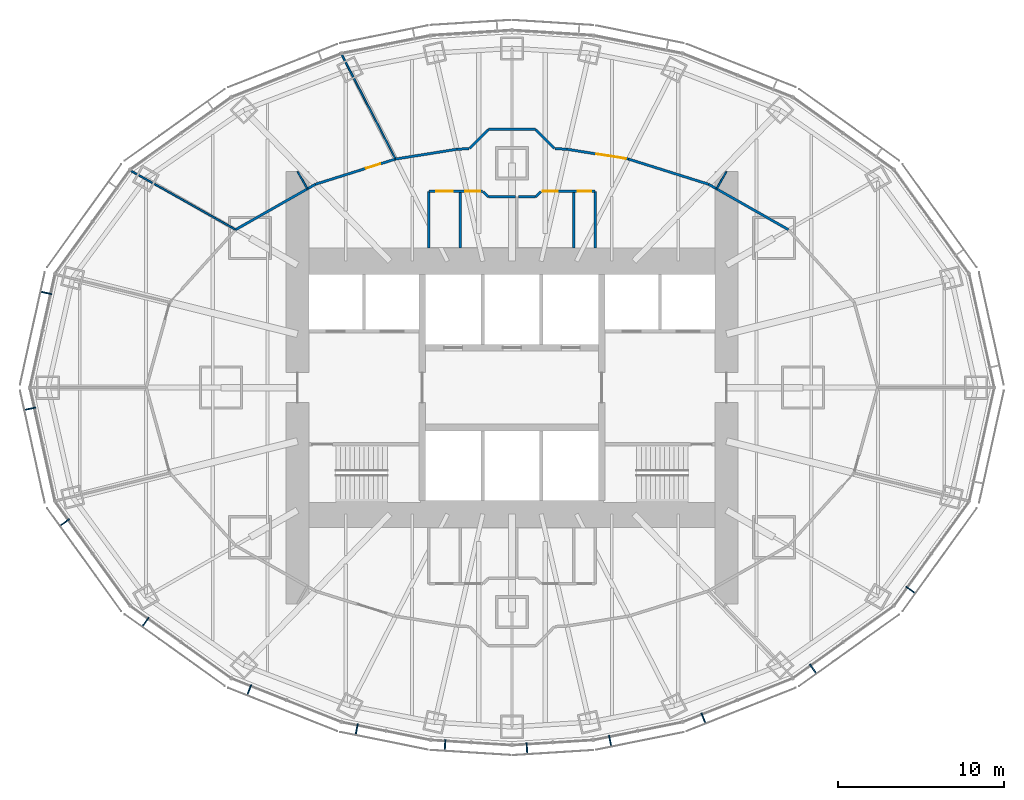
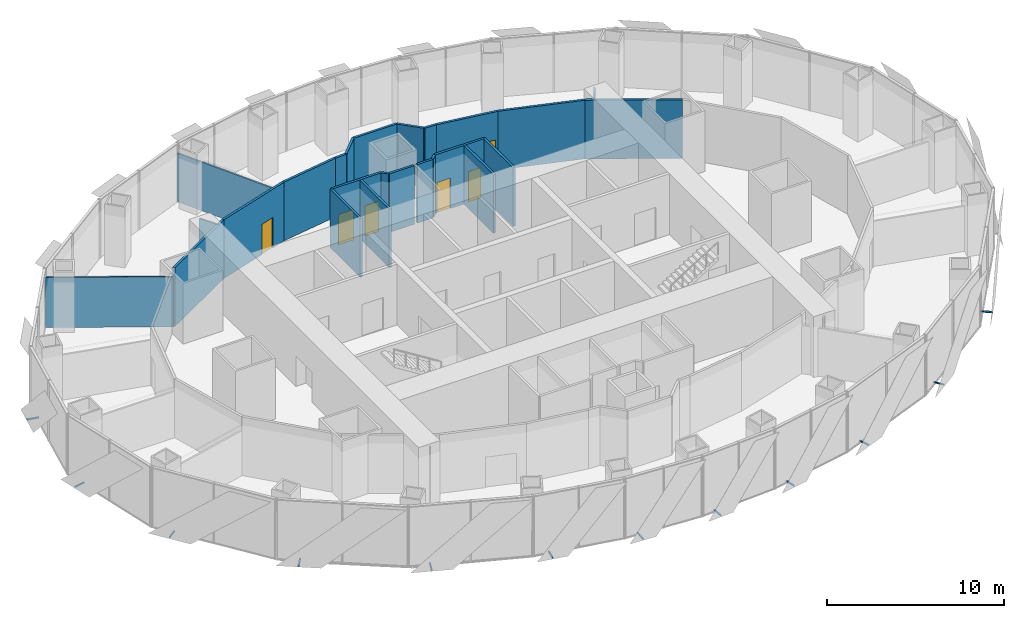
# One storey, part 13 of 17: 25 walls, 12 discrete accessories, 6 doors, 6 openings.
"""IFC4 building model written with IfcOpenShell, lengths in metres."""

from ifc_helpers import new_model, si_unit, direction, frame, frame_2d, origin, origin_2d, place, context, subcontext, project, spatial, rectangle, extrude, material, layer, layer_set, type_object, element, fill, save


model = new_model("IFC4")

# Units and contexts
model_context = context("Model", 3, precision=1e-05, world=origin(), true_north=direction((0.0, 1.0)))
body_context = subcontext(model_context, "Body", "Model", "MODEL_VIEW")
ifc_project = project(units=[si_unit("LENGTHUNIT", "METRE"), si_unit("AREAUNIT", "SQUARE_METRE"), si_unit("VOLUMEUNIT", "CUBIC_METRE"), si_unit("PLANEANGLEUNIT", "RADIAN"), si_unit("MASSUNIT", "GRAM", prefix="KILO")], contexts=[model_context])

# Site, building, storey
site_placement = place(None, origin())
site = spatial("IfcSite", under=ifc_project, at=site_placement, CompositionType="ELEMENT")
building_placement = place(site_placement, origin())
building = spatial("IfcBuilding", under=site, at=building_placement, Name="Lantaw Convention Tower", CompositionType="ELEMENT")
storey_placement = place(building_placement, frame((0.0, 0.0, 125.800048828125)))
storey = spatial("IfcBuildingStorey", under=building, at=storey_placement, Name="L29", CompositionType="ELEMENT", Elevation=125.800048828125)

# Walls
ifc_material_1 = material(Name="Gypsum board on steel studs, fire rated", Category="steel")
ifc_layer_1 = layer(ifc_material_1, 0.14990234375)
ifc_layer_set_1 = layer_set([ifc_layer_1], Name="Corridor wall 150 EI 60")
wall_type_1 = type_object("IfcWallType", Name="Corridor wall 150 EI 60", PredefinedType="PARTITIONING", material=ifc_layer_set_1)
wall_1_placement = place(storey_placement, frame((16.62255859375, 9.49853515625, 0.0), z_axis=(0.0, 0.0, 1.0), x_axis=(-0.869375991036, 0.494151177485, 0.0)))
element("IfcWall", 1, at=wall_1_placement, inside=storey, type_object=wall_type_1, Name="Corridor wall 150", PredefinedType="PARTITIONING", context=body_context, shape_type="SweptSolid", body=[
    extrude(rectangle(XDim=5.532470703125, YDim=0.14990234375, at=frame_2d((2.76611328125, 0.0))), origin(), (0.0, 0.0, 1.0), 4.050048828125),
])
wall_2_placement = place(storey_placement, frame((11.812744140625, 12.232421875, 0.0), z_axis=(0.0, 0.0, 1.0), x_axis=(-0.953893934057, 0.300143903101, 0.0)))
element("IfcWall", 2, at=wall_2_placement, inside=storey, type_object=wall_type_1, Name="Corridor wall 150", PredefinedType="PARTITIONING", context=body_context, shape_type="SweptSolid", body=[
    extrude(rectangle(XDim=5.04150390625, YDim=0.14990234375, at=frame_2d((2.520751953125, 0.0))), origin(), (0.0, 0.0, 1.0), 4.050048828125),
])

# Wall, opening, door
wall_3_placement = place(storey_placement, frame((7.003662109375, 13.74560546875, 0.0), z_axis=(0.0, 0.0, 1.0), x_axis=(-0.987511396594, 0.157547585181, 0.0)))
wall_3 = element("IfcWall", 3, at=wall_3_placement, inside=storey, type_object=wall_type_1, Name="Corridor wall 150", PredefinedType="PARTITIONING", context=body_context, shape_type="SweptSolid", body=[
    extrude(rectangle(XDim=3.74072265625, YDim=0.14990234375, at=frame_2d((1.870361328125, 0.0))), origin(), (0.0, 0.0, 1.0), 4.050048828125),
])
opening_1_placement = place(wall_3_placement, frame((0.14990234375, 0.0, 0.0)))
opening_1 = element("IfcOpeningElement", 4, at=opening_1_placement, cuts=wall_3, Name="Opening L29.22", PredefinedType="OPENING", context=body_context, shape_type="SweptSolid", body=[
    extrude(rectangle(XDim=1.800048828125, YDim=2.10009765625, at=frame_2d((0.89990234375, 1.050048828125))), frame((0.0, 0.0849609375, 0.0), z_axis=(0.0, -1.0, 0.0), x_axis=(1.0, 0.0, 0.0)), (0.0, 0.0, 1.0), 0.169921875),
])
ifc_material_2 = material(Name="Steel, fire rated", Category="steel")
door_type_1 = type_object("IfcDoorType", Name="Office double door 1800 FD30", OperationType="DOUBLE_DOOR_DOUBLE_SWING", PredefinedType="DOOR", material=ifc_material_2)
door_1_placement = place(opening_1_placement, origin())
door_1 = element("IfcDoor", 5, at=door_1_placement, inside=storey, type_object=door_type_1, Name="Contact-centre floor door", OperationType="DOUBLE_DOOR_DOUBLE_SWING", OverallHeight=2.10009765625, OverallWidth=1.800048828125, PredefinedType="DOOR", context=body_context, shape_type="SweptSolid", body=[
    extrude(rectangle(XDim=1.800048828125, YDim=2.10009765625, at=frame_2d((0.89990234375, 1.050048828125))), frame((0.0, 0.02490234375, 0.0), z_axis=(0.0, -1.0, 0.0), x_axis=(1.0, 0.0, 0.0)), (0.0, 0.0, 1.0), 0.050048828125),
])
fill(opening_1, door_1)

# Wall
wall_4_placement = place(storey_placement, frame((-3.3095703125, 14.3349609375, 0.0), z_axis=(0.0, 0.0, 1.0), x_axis=(-0.987511396594, -0.157547585181, 0.0)))
element("IfcWall", 6, at=wall_4_placement, inside=storey, type_object=wall_type_1, Name="Corridor wall 150", PredefinedType="PARTITIONING", context=body_context, shape_type="SweptSolid", body=[
    extrude(rectangle(XDim=3.74072265625, YDim=0.14990234375, at=frame_2d((1.870361328125, 0.0))), origin(), (0.0, 0.0, 1.0), 4.050048828125),
])

# Wall, opening, door
wall_5_placement = place(storey_placement, frame((-7.003662109375, 13.74560546875, 0.0), z_axis=(0.0, 0.0, 1.0), x_axis=(-0.953893934057, -0.300143903101, 0.0)))
wall_5 = element("IfcWall", 7, at=wall_5_placement, inside=storey, type_object=wall_type_1, Name="Corridor wall 150", PredefinedType="PARTITIONING", context=body_context, shape_type="SweptSolid", body=[
    extrude(rectangle(XDim=5.04150390625, YDim=0.14990234375, at=frame_2d((2.520751953125, 0.0))), origin(), (0.0, 0.0, 1.0), 4.050048828125),
])
opening_2_placement = place(wall_5_placement, frame((0.958740234375, 0.0, 0.0)))
opening_2 = element("IfcOpeningElement", 8, at=opening_2_placement, cuts=wall_5, Name="Opening L29.23", PredefinedType="OPENING", context=body_context, shape_type="SweptSolid", body=[
    extrude(rectangle(XDim=0.89990234375, YDim=2.10009765625, at=frame_2d((0.449951171875, 1.050048828125))), frame((0.0, 0.0849609375, 0.0), z_axis=(0.0, -1.0, 0.0), x_axis=(1.0, 0.0, 0.0)), (0.0, 0.0, 1.0), 0.169921875),
])
door_type_2 = type_object("IfcDoorType", Name="Office door 900 FD30", OperationType="SINGLE_SWING_LEFT", PredefinedType="DOOR", material=ifc_material_2)
door_2_placement = place(opening_2_placement, origin())
door_2 = element("IfcDoor", 9, at=door_2_placement, inside=storey, type_object=door_type_2, Name="Training room door", OperationType="SINGLE_SWING_LEFT", OverallHeight=2.10009765625, OverallWidth=0.89990234375, PredefinedType="DOOR", context=body_context, shape_type="SweptSolid", body=[
    extrude(rectangle(XDim=0.89990234375, YDim=2.10009765625, at=frame_2d((0.449951171875, 1.050048828125))), frame((0.0, 0.02490234375, 0.0), z_axis=(0.0, -1.0, 0.0), x_axis=(1.0, 0.0, 0.0)), (0.0, 0.0, 1.0), 0.050048828125),
])
fill(opening_2, door_2)

# Walls
wall_6_placement = place(storey_placement, frame((-11.812744140625, 12.232421875, 0.0), z_axis=(0.0, 0.0, 1.0), x_axis=(-0.869375991036, -0.494151177485, 0.0)))
element("IfcWall", 10, at=wall_6_placement, inside=storey, type_object=wall_type_1, Name="Corridor wall 150", PredefinedType="PARTITIONING", context=body_context, shape_type="SweptSolid", body=[
    extrude(rectangle(XDim=5.532470703125, YDim=0.14990234375, at=frame_2d((2.76611328125, 0.0))), origin(), (0.0, 0.0, 1.0), 4.050048828125),
])
for number, where, z_axis, x_axis, name in (
    (11, (3.3095703125, 14.3349609375, 0.0), (0.0, 0.0, 1.0), (-0.998758954215, 0.04980513402, 0.0), "Corridor wall 150"),
    (12, (-2.5751953125, 14.37158203125, 0.0), (0.0, 0.0, 1.0), (-0.998758954215, -0.04980513402, 0.0), "Corridor wall 150"),
):
    element("IfcWall", number, at=place(storey_placement, frame(where, z_axis=z_axis, x_axis=x_axis)), inside=storey, type_object=wall_type_1, Name=name, PredefinedType="PARTITIONING", context=body_context, shape_type="SweptSolid", body=[
        extrude(rectangle(XDim=0.7353515625, YDim=0.14990234375, at=frame_2d((0.36767578125, 0.0))), origin(), (0.0, 0.0, 1.0), 4.050048828125),
    ])
wall_7_placement = place(storey_placement, frame((-1.424560546875, 15.52490234375, 0.0), z_axis=(0.0, 0.0, 1.0), x_axis=(1.0, 0.0, 0.0)))
element("IfcWall", 13, at=wall_7_placement, inside=storey, type_object=wall_type_1, Name="Corridor wall 150", PredefinedType="PARTITIONING", context=body_context, shape_type="SweptSolid", body=[
    extrude(rectangle(XDim=2.84912109375, YDim=0.14990234375, at=frame_2d((1.424560546875, 0.0))), origin(), (0.0, 0.0, 1.0), 4.050048828125),
])
for number, where, z_axis, x_axis, name in (
    (14, (1.424560546875, 15.52490234375, 0.0), (0.0, 0.0, 1.0), (0.701815492047, -0.712358768545, 0.0), "Corridor wall 150"),
    (15, (-2.5458984375, 14.38671875, 0.0), (0.0, 0.0, 1.0), (0.701815492047, 0.712358768545, 0.0), "Corridor wall 150"),
):
    element("IfcWall", number, at=place(storey_placement, frame(where, z_axis=z_axis, x_axis=x_axis)), inside=storey, type_object=wall_type_1, Name=name, PredefinedType="PARTITIONING", context=body_context, shape_type="SweptSolid", body=[
        extrude(rectangle(XDim=1.59765625, YDim=0.14990234375, at=frame_2d((0.798828125, 0.0))), origin(), (0.0, 0.0, 1.0), 4.050048828125),
    ])
ifc_material_3 = material(Name="Gypsum board on steel studs, acoustic", Category="steel")
ifc_layer_2 = layer(ifc_material_3, 0.10009765625)
ifc_layer_set_2 = layer_set([ifc_layer_2], Name="Office partition 100")
wall_type_2 = type_object("IfcWallType", Name="Office partition 100", PredefinedType="PARTITIONING", material=ifc_layer_set_2)
wall_8_placement = place(storey_placement, frame((-10.25341796875, 20.0517578125, 0.0), z_axis=(0.0, 0.0, 1.0), x_axis=(0.458082677592, -0.888909590729, 0.0)))
element("IfcWall", 16, at=wall_8_placement, inside=storey, type_object=wall_type_2, Name="Office partition 100", PredefinedType="PARTITIONING", context=body_context, shape_type="SweptSolid", body=[
    extrude(rectangle(XDim=7.09423828125, YDim=0.10009765625, at=frame_2d((3.547119140625, 0.0))), origin(), (0.0, 0.0, 1.0), 3.348876953125),
])
wall_9_placement = place(storey_placement, frame((-22.94921875, 13.058837890625, 0.0), z_axis=(0.0, 0.0, 1.0), x_axis=(0.871483913002, -0.490424091352, 0.0)))
element("IfcWall", 17, at=wall_9_placement, inside=storey, type_object=wall_type_2, Name="Office partition 100", PredefinedType="PARTITIONING", context=body_context, shape_type="SweptSolid", body=[
    extrude(rectangle(XDim=7.259521484375, YDim=0.10009765625, at=frame_2d((3.6298828125, 0.0))), origin(), (0.0, 0.0, 1.0), 3.450439453125),
])
for number, where, z_axis, x_axis, name in (
    (18, (12.89990234375, 13.0, 0.0), (0.0, 0.0, 1.0), (-0.494173075358, -0.869363543974, 0.0), "Office partition 100"),
    (19, (-12.89990234375, 13.0, 0.0), (0.0, 0.0, 1.0), (0.494173075358, -0.869363543974, 0.0), "Office partition 100"),
):
    element("IfcWall", number, at=place(storey_placement, frame(where, z_axis=z_axis, x_axis=x_axis)), inside=storey, type_object=wall_type_2, Name=name, PredefinedType="PARTITIONING", context=body_context, shape_type="SweptSolid", body=[
        extrude(rectangle(XDim=1.204345703125, YDim=0.10009765625, at=frame_2d((0.60205078125, 0.0))), origin(), (0.0, 0.0, 1.0), 4.050048828125),
    ])
ifc_material_4 = material(Name="Concrete blockwork", Category="masonry")
ifc_layer_3 = layer(ifc_material_4, 0.14990234375)
ifc_layer_set_3 = layer_set([ifc_layer_3], Name="WC wall 150")
wall_type_3 = type_object("IfcWallType", Name="WC wall 150", PredefinedType="SOLIDWALL", material=ifc_layer_set_3)
for number, where, z_axis, x_axis, name in (
    (20, (-5.0, 8.39990234375, 0.0), (0.0, 0.0, 1.0), (0.0, 1.0, 0.0), "WC wall 150"),
    (21, (5.0, 8.39990234375, 0.0), (0.0, 0.0, 1.0), (0.0, 1.0, 0.0), "WC wall 150"),
    (22, (-3.10009765625, 8.39990234375, 0.0), (0.0, 0.0, 1.0), (0.0, 1.0, 0.0), "WC wall 150"),
    (23, (3.699951171875, 8.39990234375, 0.0), (0.0, 0.0, 1.0), (0.0, 1.0, 0.0), "WC wall 150"),
):
    element("IfcWall", number, at=place(storey_placement, frame(where, z_axis=z_axis, x_axis=x_axis)), inside=storey, type_object=wall_type_3, Name=name, PredefinedType="SOLIDWALL", context=body_context, shape_type="SweptSolid", body=[
        extrude(rectangle(XDim=3.400146484375, YDim=0.14990234375, at=frame_2d((1.7001953125, 0.0))), origin(), (0.0, 0.0, 1.0), 4.050048828125),
    ])

# Wall, openings, doors
wall_10_placement = place(storey_placement, frame((-5.0, 11.800048828125, 0.0), z_axis=(0.0, 0.0, 1.0), x_axis=(1.0, 0.0, 0.0)))
wall_10 = element("IfcWall", 24, at=wall_10_placement, inside=storey, type_object=wall_type_3, Name="WC wall 150", PredefinedType="SOLIDWALL", context=body_context, shape_type="SweptSolid", body=[
    extrude(rectangle(XDim=3.236328125, YDim=0.14990234375, at=frame_2d((1.6181640625, 0.0))), origin(), (0.0, 0.0, 1.0), 4.050048828125),
])
opening_3_placement = place(wall_10_placement, frame((0.449951171875, 0.0, 0.0)))
opening_3 = element("IfcOpeningElement", 25, at=opening_3_placement, cuts=wall_10, Name="Opening L29.14", PredefinedType="OPENING", context=body_context, shape_type="SweptSolid", body=[
    extrude(rectangle(XDim=1.0, YDim=2.10009765625, at=frame_2d((0.5, 1.050048828125))), frame((0.0, 0.0849609375, 0.0), z_axis=(0.0, -1.0, 0.0), x_axis=(1.0, 0.0, 0.0)), (0.0, 0.0, 1.0), 0.169921875),
])
opening_4_placement = place(wall_10_placement, frame((2.199951171875, 0.0, 0.0)))
opening_4 = element("IfcOpeningElement", 26, at=opening_4_placement, cuts=wall_10, Name="Opening L29.15", PredefinedType="OPENING", context=body_context, shape_type="SweptSolid", body=[
    extrude(rectangle(XDim=0.89990234375, YDim=2.10009765625, at=frame_2d((0.449951171875, 1.050048828125))), frame((0.0, 0.0849609375, 0.0), z_axis=(0.0, -1.0, 0.0), x_axis=(1.0, 0.0, 0.0)), (0.0, 0.0, 1.0), 0.169921875),
])
ifc_material_5 = material(Name="Timber", Category="wood")
door_type_3 = type_object("IfcDoorType", Name="Accessible WC door 1000", OperationType="SINGLE_SWING_LEFT", PredefinedType="DOOR", material=ifc_material_5)
door_3_placement = place(opening_3_placement, origin())
door_3 = element("IfcDoor", 27, at=door_3_placement, inside=storey, type_object=door_type_3, Name="Accessible WC door", OperationType="SINGLE_SWING_LEFT", OverallHeight=2.10009765625, OverallWidth=1.0, PredefinedType="DOOR", context=body_context, shape_type="SweptSolid", body=[
    extrude(rectangle(XDim=1.0, YDim=2.10009765625, at=frame_2d((0.5, 1.050048828125))), frame((0.0, 0.02490234375, 0.0), z_axis=(0.0, -1.0, 0.0), x_axis=(1.0, 0.0, 0.0)), (0.0, 0.0, 1.0), 0.050048828125),
])
fill(opening_3, door_3)
door_type_4 = type_object("IfcDoorType", Name="WC door 900", OperationType="SINGLE_SWING_LEFT", PredefinedType="DOOR", material=ifc_material_5)
door_4_placement = place(opening_4_placement, origin())
door_4 = element("IfcDoor", 28, at=door_4_placement, inside=storey, type_object=door_type_4, Name="Male WC door", OperationType="SINGLE_SWING_LEFT", OverallHeight=2.10009765625, OverallWidth=0.89990234375, PredefinedType="DOOR", context=body_context, shape_type="SweptSolid", body=[
    extrude(rectangle(XDim=0.89990234375, YDim=2.10009765625, at=frame_2d((0.449951171875, 1.050048828125))), frame((0.0, 0.02490234375, 0.0), z_axis=(0.0, -1.0, 0.0), x_axis=(1.0, 0.0, 0.0)), (0.0, 0.0, 1.0), 0.050048828125),
])
fill(opening_4, door_4)

wall_11_placement = place(storey_placement, frame((1.763671875, 11.800048828125, 0.0), z_axis=(0.0, 0.0, 1.0), x_axis=(1.0, 0.0, 0.0)))
wall_11 = element("IfcWall", 29, at=wall_11_placement, inside=storey, type_object=wall_type_3, Name="WC wall 150", PredefinedType="SOLIDWALL", context=body_context, shape_type="SweptSolid", body=[
    extrude(rectangle(XDim=3.236328125, YDim=0.14990234375, at=frame_2d((1.6181640625, 0.0))), origin(), (0.0, 0.0, 1.0), 4.050048828125),
])
opening_5_placement = place(wall_11_placement, frame((0.10009765625, 0.0, 0.0)))
opening_5 = element("IfcOpeningElement", 30, at=opening_5_placement, cuts=wall_11, Name="Opening L29.16", PredefinedType="OPENING", context=body_context, shape_type="SweptSolid", body=[
    extrude(rectangle(XDim=0.89990234375, YDim=2.10009765625, at=frame_2d((0.449951171875, 1.050048828125))), frame((0.0, 0.0849609375, 0.0), z_axis=(0.0, -1.0, 0.0), x_axis=(1.0, 0.0, 0.0)), (0.0, 0.0, 1.0), 0.169921875),
])
opening_6_placement = place(wall_11_placement, frame((2.199951171875, 0.0, 0.0)))
opening_6 = element("IfcOpeningElement", 31, at=opening_6_placement, cuts=wall_11, Name="Opening L29.17", PredefinedType="OPENING", context=body_context, shape_type="SweptSolid", body=[
    extrude(rectangle(XDim=0.800048828125, YDim=2.10009765625, at=frame_2d((0.39990234375, 1.050048828125))), frame((0.0, 0.0849609375, 0.0), z_axis=(0.0, -1.0, 0.0), x_axis=(1.0, 0.0, 0.0)), (0.0, 0.0, 1.0), 0.169921875),
])
door_type_5 = type_object("IfcDoorType", Name="WC door 800", OperationType="SINGLE_SWING_LEFT", PredefinedType="DOOR", material=ifc_material_5)
door_5_placement = place(opening_6_placement, origin())
door_5 = element("IfcDoor", 32, at=door_5_placement, inside=storey, type_object=door_type_5, Name="Cleaner's store door", OperationType="SINGLE_SWING_LEFT", OverallHeight=2.10009765625, OverallWidth=0.800048828125, PredefinedType="DOOR", context=body_context, shape_type="SweptSolid", body=[
    extrude(rectangle(XDim=0.800048828125, YDim=2.10009765625, at=frame_2d((0.39990234375, 1.050048828125))), frame((0.0, 0.02490234375, 0.0), z_axis=(0.0, -1.0, 0.0), x_axis=(1.0, 0.0, 0.0)), (0.0, 0.0, 1.0), 0.050048828125),
])
fill(opening_6, door_5)
door_6_placement = place(opening_5_placement, origin())
door_6 = element("IfcDoor", 33, at=door_6_placement, inside=storey, type_object=door_type_4, Name="Female WC door", OperationType="SINGLE_SWING_LEFT", OverallHeight=2.10009765625, OverallWidth=0.89990234375, PredefinedType="DOOR", context=body_context, shape_type="SweptSolid", body=[
    extrude(rectangle(XDim=0.89990234375, YDim=2.10009765625, at=frame_2d((0.449951171875, 1.050048828125))), frame((0.0, 0.02490234375, 0.0), z_axis=(0.0, -1.0, 0.0), x_axis=(1.0, 0.0, 0.0)), (0.0, 0.0, 1.0), 0.050048828125),
])
fill(opening_5, door_6)

# Walls
wall_12_placement = place(storey_placement, frame((0.19677734375, 11.47509765625, 0.0), z_axis=(0.0, 0.0, 1.0), x_axis=(-1.0, 0.0, 0.0)))
element("IfcWall", 34, at=wall_12_placement, inside=storey, type_object=wall_type_3, Name="WC wall 150", PredefinedType="SOLIDWALL", context=body_context, shape_type="SweptSolid", body=[
    extrude(rectangle(XDim=1.621337890625, YDim=0.14990234375, at=frame_2d((0.810546875, 0.0))), origin(), (0.0, 0.0, 1.0), 4.050048828125),
])
for number, where, z_axis, x_axis, name in (
    (35, (-1.424560546875, 11.47509765625, 0.0), (0.0, 0.0, 1.0), (-0.707106781187, 0.707106781187, 0.0), "WC wall 150"),
    (36, (1.733642578125, 11.7841796875, 0.0), (0.0, 0.0, 1.0), (-0.707106781187, -0.707106781187, 0.0), "WC wall 150"),
):
    element("IfcWall", number, at=place(storey_placement, frame(where, z_axis=z_axis, x_axis=x_axis)), inside=storey, type_object=wall_type_3, Name=name, PredefinedType="SOLIDWALL", context=body_context, shape_type="SweptSolid", body=[
        extrude(rectangle(XDim=0.43701171875, YDim=0.14990234375, at=frame_2d((0.218505859375, 0.0))), origin(), (0.0, 0.0, 1.0), 4.050048828125),
    ])
wall_13_placement = place(storey_placement, frame((1.424560546875, 11.47509765625, 0.0), z_axis=(0.0, 0.0, 1.0), x_axis=(-1.0, 0.0, 0.0)))
element("IfcWall", 37, at=wall_13_placement, inside=storey, type_object=wall_type_3, Name="WC wall 150", PredefinedType="SOLIDWALL", context=body_context, shape_type="SweptSolid", body=[
    extrude(rectangle(XDim=1.021240234375, YDim=0.14990234375, at=frame_2d((0.5107421875, 0.0))), origin(), (0.0, 0.0, 1.0), 4.050048828125),
])

# Discrete accessories
for number, where, z_axis, x_axis, name in (
    (38, (-28.008056640625, 5.6953125, -0.114990234375), (0.0, 0.0, 1.0), (-0.215546166174, -0.9764936509, 0.0), "Screen bracket"),
    (39, (-28.98486328125, -1.269775390625, -0.114990234375), (0.0, 0.0, 1.0), (0.215546166174, -0.9764936509, 0.0), "Screen bracket"),
    (40, (-26.900146484375, -8.111572265625, -0.114990234375), (0.0, 0.0, 1.0), (0.584512597221, -0.811384633629, 0.0), "Screen bracket"),
    (41, (-22.044189453125, -14.10546875, -0.114990234375), (0.0, 0.0, 1.0), (0.813208325995, -0.581972695693, 0.0), "Screen bracket"),
    (42, (-15.802978515625, -18.18798828125, -0.114990234375), (0.0, 0.0, 1.0), (0.929547687544, -0.368701907483, 0.0), "Screen bracket"),
    (43, (-9.339599609375, -20.56005859375, -0.114990234375), (0.0, 0.0, 1.0), (0.980301514912, -0.197506809659, 0.0), "Screen bracket"),
    (44, (-4.027099609375, -21.505859375, -0.114990234375), (0.0, 0.0, 1.0), (0.998022035978, -0.062865059466, 0.0), "Screen bracket"),
    (45, (0.89794921875, -21.702880859375, -0.114990234375), (0.0, 0.0, 1.0), (0.998022035978, 0.062865059466, 0.0), "Screen bracket"),
    (46, (5.903076171875, -21.25244140625, -0.114990234375), (0.0, 0.0, 1.0), (0.980301514912, 0.197506809659, 0.0), "Screen bracket"),
    (47, (11.517822265625, -19.887939453125, -0.114990234375), (0.0, 0.0, 1.0), (0.929547687544, 0.368701907483, 0.0), "Screen bracket"),
    (48, (18.10791015625, -16.922607421875, -0.114990234375), (0.0, 0.0, 1.0), (0.813208325995, 0.581972695693, 0.0), "Screen bracket"),
    (49, (23.9765625, -12.169677734375, -0.114990234375), (0.0, 0.0, 1.0), (0.584512597221, 0.811384633629, 0.0), "Screen bracket"),
):
    element("IfcDiscreteAccessory", number, at=place(storey_placement, frame(where, z_axis=z_axis, x_axis=x_axis)), inside=storey, Name=name, PredefinedType="BRACKET", context=body_context, shape_type="SweptSolid", body=[
        extrude(rectangle(XDim=0.080078125, YDim=0.68798828125, at=origin_2d()), origin(), (0.0, 0.0, 1.0), 0.080078125),
    ])

save(model, "model.ifc")
